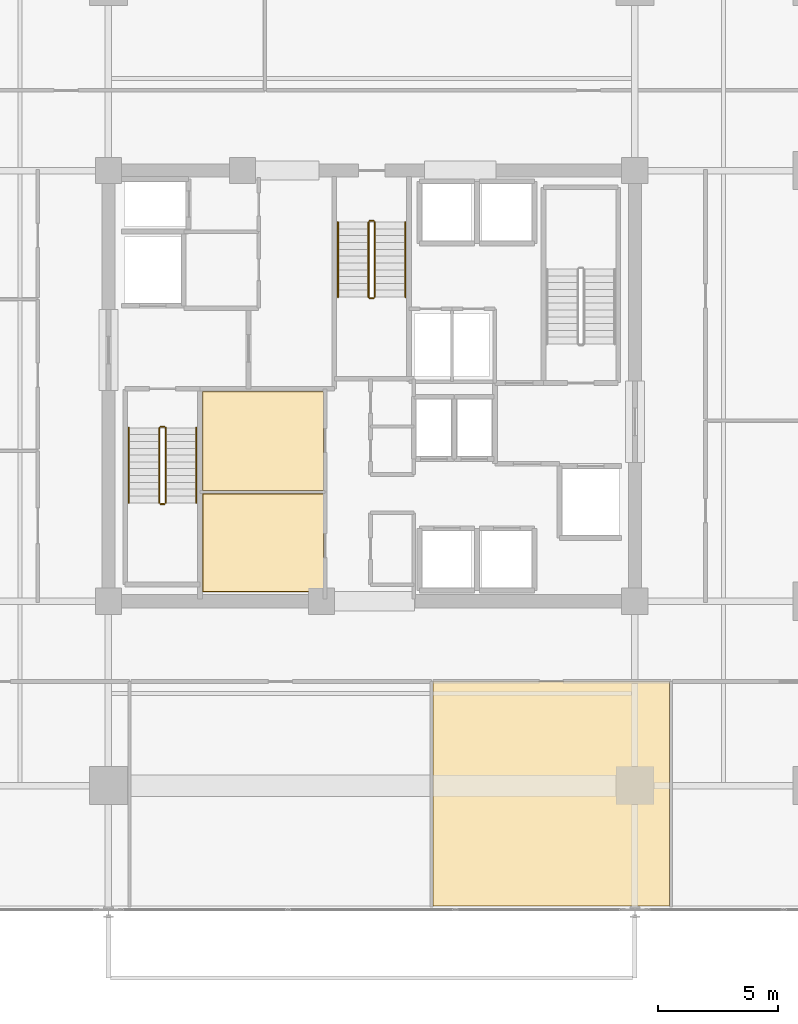
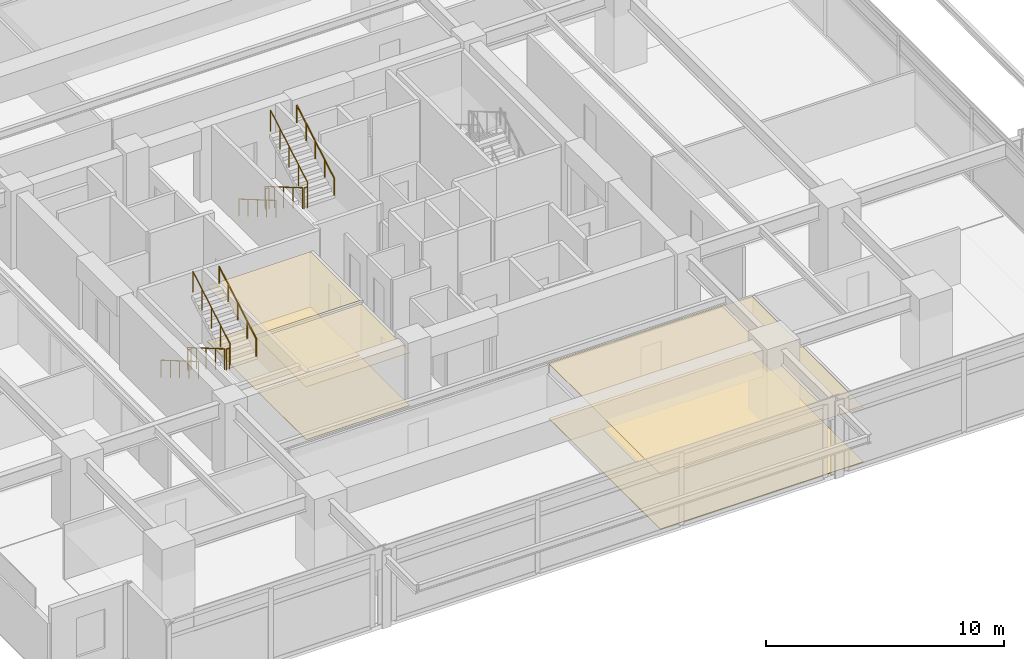
# One storey, part 21 of 23: 12 railings, 6 coverings.
"""IFC4 building model written with IfcOpenShell, lengths in metres."""

from ifc_helpers import new_model, si_unit, direction, frame, origin, origin_2d, place, context, subcontext, project, spatial, polyline, circle, outline, extrude, material, layer, layer_set, type_object, element, save


model = new_model("IFC4")

# Units and contexts
model_context = context("Model", 3, precision=1e-05, world=origin(), true_north=direction((0.0, 1.0)))
body_context = subcontext(model_context, "Body", "Model", "MODEL_VIEW")
ifc_project = project(units=[si_unit("LENGTHUNIT", "METRE"), si_unit("AREAUNIT", "SQUARE_METRE"), si_unit("VOLUMEUNIT", "CUBIC_METRE"), si_unit("PLANEANGLEUNIT", "RADIAN"), si_unit("MASSUNIT", "GRAM", prefix="KILO")], contexts=[model_context])

# Site, building, storey
site_placement = place(None, origin())
site = spatial("IfcSite", under=ifc_project, at=site_placement, CompositionType="ELEMENT")
building_placement = place(site_placement, origin())
building = spatial("IfcBuilding", under=site, at=building_placement, Name="Kovane Verandah Tower", CompositionType="ELEMENT")
storey_placement = place(building_placement, frame((0.0, 0.0, 168.39990234375)))
storey = spatial("IfcBuildingStorey", under=building, at=storey_placement, Name="L39", CompositionType="ELEMENT", Elevation=168.39990234375)

# Coverings
ifc_material_1 = material(Name="Perforated Acoustic Mineral-Fibre Ceiling Tile", Category="gypsum")
ifc_layer_1 = layer(ifc_material_1, 0.02490234375)
ifc_layer_set_1 = layer_set([ifc_layer_1], Name="Perforated Acoustic Mineral-Fibre Ceiling Tile")
covering_type_1 = type_object("IfcCoveringType", Name="CV-CEIL-25", PredefinedType="CEILING", material=ifc_layer_set_1)
covering_1_placement = place(storey_placement, frame((0.0, 0.0, 2.72998046875)))
element("IfcCovering", 1, at=covering_1_placement, inside=storey, type_object=covering_type_1, Name="L39 IT Server Room Acoustic Ceiling", PredefinedType="CEILING", context=body_context, shape_type="SweptSolid", body=[
    extrude(outline(polyline([(32.93505859375, 18.885009765625), (37.9951171875, 18.885009765625), (37.9951171875, 22.9951171875), (32.93505859375, 22.9951171875), (32.93505859375, 18.885009765625)])), origin(), (0.0, 0.0, 1.0), 0.025146484375),
])
covering_2_placement = place(storey_placement, frame((0.0, 0.0, 2.8251953125)))
element("IfcCovering", 2, at=covering_2_placement, inside=storey, type_object=covering_type_1, Name="L39 Telecom MDF Room Acoustic Ceiling", PredefinedType="CEILING", context=body_context, shape_type="SweptSolid", body=[
    extrude(outline(polyline([(32.93505859375, 23.125), (37.9951171875, 23.125), (37.9951171875, 27.264892578125), (32.93505859375, 27.264892578125), (32.93505859375, 23.125)])), origin(), (0.0, 0.0, 1.0), 0.02490234375),
])
covering_3_placement = place(storey_placement, frame((0.0, 0.0, 2.8251953125)))
element("IfcCovering", 3, at=covering_3_placement, inside=storey, type_object=covering_type_1, Name="L39 Open Plan Office S3 Acoustic Ceiling", PredefinedType="CEILING", context=body_context, shape_type="SweptSolid", body=[
    extrude(outline(polyline([(42.569091796875, 5.767822265625), (52.439453125, 5.767822265625), (52.439453125, 15.14990234375), (42.569091796875, 15.14990234375), (42.569091796875, 5.767822265625)])), origin(), (0.0, 0.0, 1.0), 0.02490234375),
])
ifc_material_2 = material(Name="Polished Terrazzo and Raised-Access Carpet Tile Finish", Category="concrete")
ifc_layer_2 = layer(ifc_material_2, 0.030029296875)
ifc_layer_set_2 = layer_set([ifc_layer_2], Name="Polished Terrazzo and Raised-Access Carpet Tile Finish")
covering_type_2 = type_object("IfcCoveringType", Name="CV-FLOR-30", PredefinedType="FLOORING", material=ifc_layer_set_2)
covering_4_placement = place(storey_placement, origin())
element("IfcCovering", 4, at=covering_4_placement, inside=storey, type_object=covering_type_2, Name="L39 IT Server Room Floor Finish", PredefinedType="FLOORING", context=body_context, shape_type="SweptSolid", body=[
    extrude(outline(polyline([(32.949951171875, 18.89990234375), (37.97998046875, 18.89990234375), (37.97998046875, 22.97998046875), (32.949951171875, 22.97998046875), (32.949951171875, 18.89990234375)])), origin(), (0.0, 0.0, 1.0), 0.030029296875),
])
covering_5_placement = place(storey_placement, origin())
element("IfcCovering", 5, at=covering_5_placement, inside=storey, type_object=covering_type_2, Name="L39 Telecom MDF Room Floor Finish", PredefinedType="FLOORING", context=body_context, shape_type="SweptSolid", body=[
    extrude(outline(polyline([(32.949951171875, 23.139892578125), (37.97998046875, 23.139892578125), (37.97998046875, 27.25), (32.949951171875, 27.25), (32.949951171875, 23.139892578125)])), origin(), (0.0, 0.0, 1.0), 0.030029296875),
])
covering_6_placement = place(storey_placement, origin())
element("IfcCovering", 6, at=covering_6_placement, inside=storey, type_object=covering_type_2, Name="L39 Open Plan Office S3 Floor Finish", PredefinedType="FLOORING", context=body_context, shape_type="SweptSolid", body=[
    extrude(outline(polyline([(42.569091796875, 5.767822265625), (52.439453125, 5.767822265625), (52.439453125, 15.14990234375), (42.569091796875, 15.14990234375), (42.569091796875, 5.767822265625)])), origin(), (0.0, 0.0, 1.0), 0.030029296875),
])

# Railings
ifc_material_3 = material(Name="Brushed Stainless Steel Handrail", Category="steel")
railing_type_1 = type_object("IfcRailingType", Name="RL-HAND-920", PredefinedType="HANDRAIL", material=ifc_material_3)
railing_1_placement = place(storey_placement, frame((29.85009765625, 25.75, 0.166748046875)))
element("IfcRailing", 7, at=railing_1_placement, inside=storey, type_object=railing_type_1, Name="L39 ST-01 stair handrail 1", PredefinedType="HANDRAIL", context=body_context, shape_type="SweptSolid", body=[
    extrude(circle(Radius=0.02392578125, at=origin_2d()), frame((0.0, 0.0, 0.8759765625), z_axis=(0.0, -0.863239559939, 0.504794475164), x_axis=(1.0, 0.0, 0.0)), (0.0, 0.0, 1.0), 3.631591796875),
    extrude(circle(Radius=0.02099609375, at=origin_2d()), origin(), (0.0, 0.0, 1.0), 0.851806640625),
    extrude(circle(Radius=0.02099609375, at=origin_2d()), frame((0.0, -0.78369140625, 0.458251953125)), (0.0, 0.0, 1.0), 0.851806640625),
    extrude(circle(Radius=0.02099609375, at=origin_2d()), frame((0.0, -1.5673828125, 0.91650390625)), (0.0, 0.0, 1.0), 0.851806640625),
    extrude(circle(Radius=0.02099609375, at=origin_2d()), frame((0.0, -2.351318359375, 1.375)), (0.0, 0.0, 1.0), 0.851806640625),
    extrude(circle(Radius=0.02099609375, at=origin_2d()), frame((0.0, -3.135009765625, 1.833251953125)), (0.0, 0.0, 1.0), 0.851806640625),
])
railing_2_placement = place(storey_placement, frame((32.669921875, 22.614990234375, 2.166748046875)))
element("IfcRailing", 8, at=railing_2_placement, inside=storey, type_object=railing_type_1, Name="L39 ST-01 stair handrail 2", PredefinedType="HANDRAIL", context=body_context, shape_type="SweptSolid", body=[
    extrude(circle(Radius=0.02392578125, at=origin_2d()), frame((0.0, 0.0, 0.8759765625), z_axis=(0.0, 0.863239559939, 0.504794475164), x_axis=(-1.0, 0.0, 0.0)), (0.0, 0.0, 1.0), 3.631591796875),
    extrude(circle(Radius=0.02099609375, at=origin_2d()), origin(), (0.0, 0.0, 1.0), 0.851806640625),
    extrude(circle(Radius=0.02099609375, at=origin_2d()), frame((0.0, 0.78369140625, 0.458251953125)), (0.0, 0.0, 1.0), 0.851806640625),
    extrude(circle(Radius=0.02099609375, at=origin_2d()), frame((0.0, 1.5673828125, 0.91650390625)), (0.0, 0.0, 1.0), 0.851806640625),
    extrude(circle(Radius=0.02099609375, at=origin_2d()), frame((0.0, 2.351318359375, 1.375)), (0.0, 0.0, 1.0), 0.851806640625),
    extrude(circle(Radius=0.02099609375, at=origin_2d()), frame((0.0, 3.135009765625, 1.833251953125)), (0.0, 0.0, 1.0), 0.851806640625),
])
railing_3_placement = place(storey_placement, frame((38.590087890625, 34.35009765625, 0.166748046875)))
element("IfcRailing", 9, at=railing_3_placement, inside=storey, type_object=railing_type_1, Name="L39 ST-03 stair handrail 1", PredefinedType="HANDRAIL", context=body_context, shape_type="SweptSolid", body=[
    extrude(circle(Radius=0.02392578125, at=origin_2d()), frame((0.0, 0.0, 0.8759765625), z_axis=(0.0, -0.863239559939, 0.504794475164), x_axis=(1.0, 0.0, 0.0)), (0.0, 0.0, 1.0), 3.631591796875),
    extrude(circle(Radius=0.02099609375, at=origin_2d()), origin(), (0.0, 0.0, 1.0), 0.851806640625),
    extrude(circle(Radius=0.02099609375, at=origin_2d()), frame((0.0, -0.78369140625, 0.458251953125)), (0.0, 0.0, 1.0), 0.851806640625),
    extrude(circle(Radius=0.02099609375, at=origin_2d()), frame((0.0, -1.5673828125, 0.91650390625)), (0.0, 0.0, 1.0), 0.851806640625),
    extrude(circle(Radius=0.02099609375, at=origin_2d()), frame((0.0, -2.351318359375, 1.375)), (0.0, 0.0, 1.0), 0.851806640625),
    extrude(circle(Radius=0.02099609375, at=origin_2d()), frame((0.0, -3.135009765625, 1.833251953125)), (0.0, 0.0, 1.0), 0.851806640625),
])
railing_4_placement = place(storey_placement, frame((41.409912109375, 31.215087890625, 2.166748046875)))
element("IfcRailing", 10, at=railing_4_placement, inside=storey, type_object=railing_type_1, Name="L39 ST-03 stair handrail 2", PredefinedType="HANDRAIL", context=body_context, shape_type="SweptSolid", body=[
    extrude(circle(Radius=0.02392578125, at=origin_2d()), frame((0.0, 0.0, 0.8759765625), z_axis=(0.0, 0.863239559939, 0.504794475164), x_axis=(-1.0, 0.0, 0.0)), (0.0, 0.0, 1.0), 3.631591796875),
    extrude(circle(Radius=0.02099609375, at=origin_2d()), origin(), (0.0, 0.0, 1.0), 0.851806640625),
    extrude(circle(Radius=0.02099609375, at=origin_2d()), frame((0.0, 0.78369140625, 0.458251953125)), (0.0, 0.0, 1.0), 0.851806640625),
    extrude(circle(Radius=0.02099609375, at=origin_2d()), frame((0.0, 1.5673828125, 0.91650390625)), (0.0, 0.0, 1.0), 0.851806640625),
    extrude(circle(Radius=0.02099609375, at=origin_2d()), frame((0.0, 2.351318359375, 1.375)), (0.0, 0.0, 1.0), 0.851806640625),
    extrude(circle(Radius=0.02099609375, at=origin_2d()), frame((0.0, 3.135009765625, 1.833251953125)), (0.0, 0.0, 1.0), 0.851806640625),
])
ifc_material_4 = material(Name="Painted Steel Stairwell Guardrail", Category="steel")
railing_type_2 = type_object("IfcRailingType", Name="RL-STGUARD-1120", PredefinedType="GUARDRAIL", material=ifc_material_4)
railing_5_placement = place(storey_placement, frame((31.1298828125, 25.75, 0.166748046875)))
element("IfcRailing", 11, at=railing_5_placement, inside=storey, type_object=railing_type_2, Name="L39 ST-01 stair guard 1", PredefinedType="GUARDRAIL", context=body_context, shape_type="SweptSolid", body=[
    extrude(circle(Radius=0.02392578125, at=origin_2d()), frame((0.0, 0.0, 1.076171875), z_axis=(0.0, -0.863239559939, 0.504794475164), x_axis=(1.0, 0.0, 0.0)), (0.0, 0.0, 1.0), 3.631591796875),
    extrude(circle(Radius=0.02099609375, at=origin_2d()), origin(), (0.0, 0.0, 1.0), 1.052001953125),
    extrude(circle(Radius=0.02099609375, at=origin_2d()), frame((0.0, -0.78369140625, 0.458251953125)), (0.0, 0.0, 1.0), 1.052001953125),
    extrude(circle(Radius=0.02099609375, at=origin_2d()), frame((0.0, -1.5673828125, 0.91650390625)), (0.0, 0.0, 1.0), 1.052001953125),
    extrude(circle(Radius=0.02099609375, at=origin_2d()), frame((0.0, -2.351318359375, 1.375)), (0.0, 0.0, 1.0), 1.052001953125),
    extrude(circle(Radius=0.02099609375, at=origin_2d()), frame((0.0, -3.135009765625, 1.833251953125)), (0.0, 0.0, 1.0), 1.052001953125),
])
railing_6_placement = place(storey_placement, frame((31.179931640625, 22.56494140625, 2.0)))
element("IfcRailing", 12, at=railing_6_placement, inside=storey, type_object=railing_type_2, Name="L39 ST-01 stair guard 2", PredefinedType="GUARDRAIL", context=body_context, shape_type="SweptSolid", body=[
    extrude(circle(Radius=0.02392578125, at=origin_2d()), frame((0.0, 0.0, 1.076171875), z_axis=(1.0, 0.0, 0.0), x_axis=(0.0, 1.0, 0.0)), (0.0, 0.0, 1.0), 0.16015625),
    extrude(circle(Radius=0.02099609375, at=origin_2d()), origin(), (0.0, 0.0, 1.0), 1.052001953125),
    extrude(circle(Radius=0.02099609375, at=origin_2d()), frame((0.16015625, 0.0, 0.0)), (0.0, 0.0, 1.0), 1.052001953125),
])
railing_7_placement = place(storey_placement, frame((31.389892578125, 22.614990234375, 2.166748046875)))
element("IfcRailing", 13, at=railing_7_placement, inside=storey, type_object=railing_type_2, Name="L39 ST-01 stair guard 3", PredefinedType="GUARDRAIL", context=body_context, shape_type="SweptSolid", body=[
    extrude(circle(Radius=0.02392578125, at=origin_2d()), frame((0.0, 0.0, 1.076171875), z_axis=(0.0, 0.863239559939, 0.504794475164), x_axis=(-1.0, 0.0, 0.0)), (0.0, 0.0, 1.0), 3.631591796875),
    extrude(circle(Radius=0.02099609375, at=origin_2d()), origin(), (0.0, 0.0, 1.0), 1.052001953125),
    extrude(circle(Radius=0.02099609375, at=origin_2d()), frame((0.0, 0.78369140625, 0.458251953125)), (0.0, 0.0, 1.0), 1.052001953125),
    extrude(circle(Radius=0.02099609375, at=origin_2d()), frame((0.0, 1.5673828125, 0.91650390625)), (0.0, 0.0, 1.0), 1.052001953125),
    extrude(circle(Radius=0.02099609375, at=origin_2d()), frame((0.0, 2.351318359375, 1.375)), (0.0, 0.0, 1.0), 1.052001953125),
    extrude(circle(Radius=0.02099609375, at=origin_2d()), frame((0.0, 3.135009765625, 1.833251953125)), (0.0, 0.0, 1.0), 1.052001953125),
])
railing_8_placement = place(storey_placement, frame((31.179931640625, 25.800048828125, 0.0)))
element("IfcRailing", 14, at=railing_8_placement, inside=storey, type_object=railing_type_2, Name="L39 ST-01 stair guard 4", PredefinedType="GUARDRAIL", context=body_context, shape_type="SweptSolid", body=[
    extrude(circle(Radius=0.02392578125, at=origin_2d()), frame((0.0, 0.0, 1.076171875), z_axis=(1.0, 0.0, 0.0), x_axis=(0.0, 1.0, 0.0)), (0.0, 0.0, 1.0), 0.16015625),
    extrude(circle(Radius=0.02099609375, at=origin_2d()), origin(), (0.0, 0.0, 1.0), 1.052001953125),
    extrude(circle(Radius=0.02099609375, at=origin_2d()), frame((0.16015625, 0.0, 0.0)), (0.0, 0.0, 1.0), 1.052001953125),
])
railing_9_placement = place(storey_placement, frame((39.8701171875, 34.35009765625, 0.166748046875)))
element("IfcRailing", 15, at=railing_9_placement, inside=storey, type_object=railing_type_2, Name="L39 ST-03 stair guard 1", PredefinedType="GUARDRAIL", context=body_context, shape_type="SweptSolid", body=[
    extrude(circle(Radius=0.02392578125, at=origin_2d()), frame((0.0, 0.0, 1.076171875), z_axis=(0.0, -0.863239559939, 0.504794475164), x_axis=(1.0, 0.0, 0.0)), (0.0, 0.0, 1.0), 3.631591796875),
    extrude(circle(Radius=0.02099609375, at=origin_2d()), origin(), (0.0, 0.0, 1.0), 1.052001953125),
    extrude(circle(Radius=0.02099609375, at=origin_2d()), frame((0.0, -0.78369140625, 0.458251953125)), (0.0, 0.0, 1.0), 1.052001953125),
    extrude(circle(Radius=0.02099609375, at=origin_2d()), frame((0.0, -1.5673828125, 0.91650390625)), (0.0, 0.0, 1.0), 1.052001953125),
    extrude(circle(Radius=0.02099609375, at=origin_2d()), frame((0.0, -2.351318359375, 1.375)), (0.0, 0.0, 1.0), 1.052001953125),
    extrude(circle(Radius=0.02099609375, at=origin_2d()), frame((0.0, -3.135009765625, 1.833251953125)), (0.0, 0.0, 1.0), 1.052001953125),
])
railing_10_placement = place(storey_placement, frame((39.919921875, 31.1650390625, 2.0)))
element("IfcRailing", 16, at=railing_10_placement, inside=storey, type_object=railing_type_2, Name="L39 ST-03 stair guard 2", PredefinedType="GUARDRAIL", context=body_context, shape_type="SweptSolid", body=[
    extrude(circle(Radius=0.02392578125, at=origin_2d()), frame((0.0, 0.0, 1.076171875), z_axis=(1.0, 0.0, 0.0), x_axis=(0.0, 1.0, 0.0)), (0.0, 0.0, 1.0), 0.16015625),
    extrude(circle(Radius=0.02099609375, at=origin_2d()), origin(), (0.0, 0.0, 1.0), 1.052001953125),
    extrude(circle(Radius=0.02099609375, at=origin_2d()), frame((0.16015625, 0.0, 0.0)), (0.0, 0.0, 1.0), 1.052001953125),
])
railing_11_placement = place(storey_placement, frame((40.1298828125, 31.215087890625, 2.166748046875)))
element("IfcRailing", 17, at=railing_11_placement, inside=storey, type_object=railing_type_2, Name="L39 ST-03 stair guard 3", PredefinedType="GUARDRAIL", context=body_context, shape_type="SweptSolid", body=[
    extrude(circle(Radius=0.02392578125, at=origin_2d()), frame((0.0, 0.0, 1.076171875), z_axis=(0.0, 0.863239559939, 0.504794475164), x_axis=(-1.0, 0.0, 0.0)), (0.0, 0.0, 1.0), 3.631591796875),
    extrude(circle(Radius=0.02099609375, at=origin_2d()), origin(), (0.0, 0.0, 1.0), 1.052001953125),
    extrude(circle(Radius=0.02099609375, at=origin_2d()), frame((0.0, 0.78369140625, 0.458251953125)), (0.0, 0.0, 1.0), 1.052001953125),
    extrude(circle(Radius=0.02099609375, at=origin_2d()), frame((0.0, 1.5673828125, 0.91650390625)), (0.0, 0.0, 1.0), 1.052001953125),
    extrude(circle(Radius=0.02099609375, at=origin_2d()), frame((0.0, 2.351318359375, 1.375)), (0.0, 0.0, 1.0), 1.052001953125),
    extrude(circle(Radius=0.02099609375, at=origin_2d()), frame((0.0, 3.135009765625, 1.833251953125)), (0.0, 0.0, 1.0), 1.052001953125),
])
railing_12_placement = place(storey_placement, frame((39.919921875, 34.39990234375, 0.0)))
element("IfcRailing", 18, at=railing_12_placement, inside=storey, type_object=railing_type_2, Name="L39 ST-03 stair guard 4", PredefinedType="GUARDRAIL", context=body_context, shape_type="SweptSolid", body=[
    extrude(circle(Radius=0.02392578125, at=origin_2d()), frame((0.0, 0.0, 1.076171875), z_axis=(1.0, 0.0, 0.0), x_axis=(0.0, 1.0, 0.0)), (0.0, 0.0, 1.0), 0.16015625),
    extrude(circle(Radius=0.02099609375, at=origin_2d()), origin(), (0.0, 0.0, 1.0), 1.052001953125),
    extrude(circle(Radius=0.02099609375, at=origin_2d()), frame((0.16015625, 0.0, 0.0)), (0.0, 0.0, 1.0), 1.052001953125),
])

save(model, "model.ifc")
